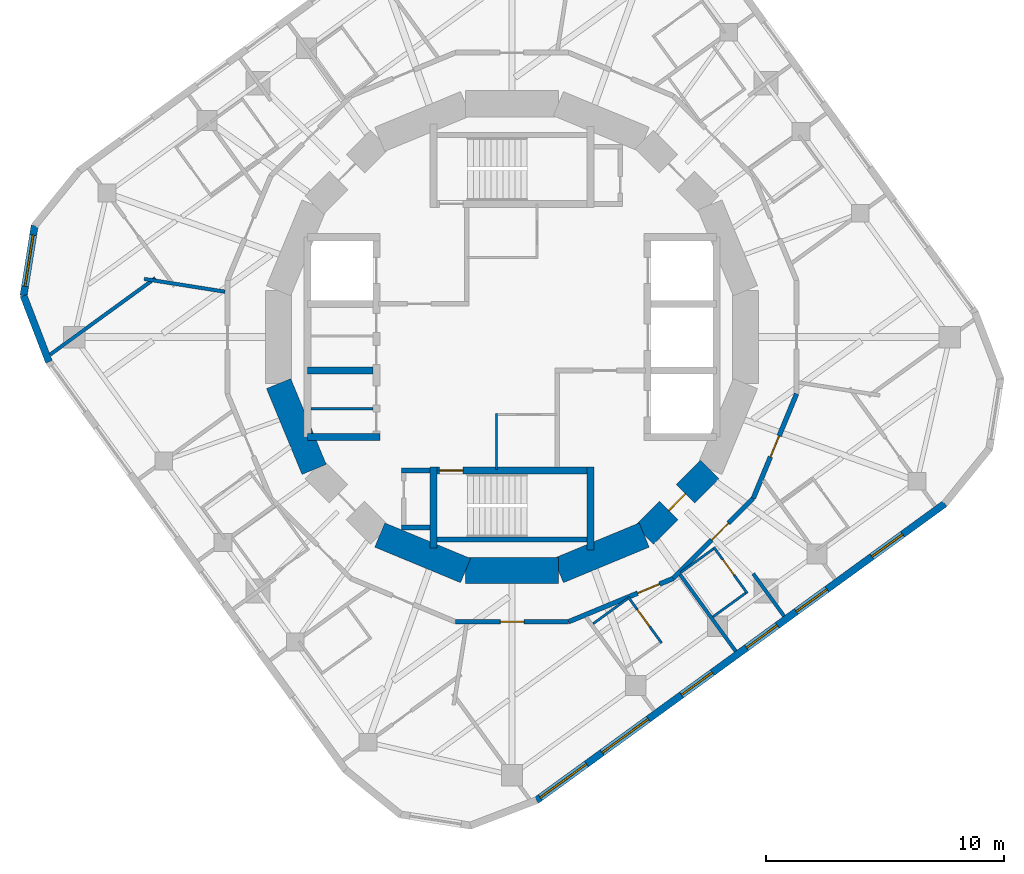
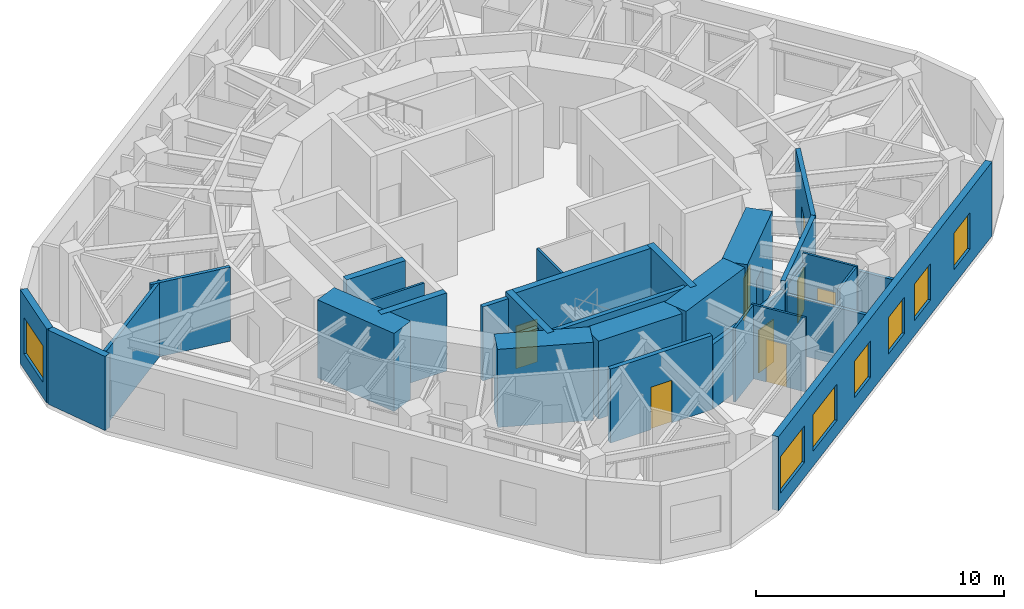
# One storey, part 4 of 9: 31 walls, 8 doors, 7 windows, 15 openings.
"""IFC4 building model written with IfcOpenShell, lengths in metres."""

from ifc_helpers import new_model, si_unit, direction, frame, frame_2d, origin, place, context, subcontext, project, spatial, rectangle, extrude, material, layer, layer_set, type_object, element, fill, save


model = new_model("IFC4")

# Units and contexts
model_context = context("Model", 3, precision=1e-05, world=origin(), true_north=direction((0.0, 1.0)))
body_context = subcontext(model_context, "Body", "Model", "MODEL_VIEW")
ifc_project = project(units=[si_unit("LENGTHUNIT", "METRE"), si_unit("AREAUNIT", "SQUARE_METRE"), si_unit("VOLUMEUNIT", "CUBIC_METRE"), si_unit("PLANEANGLEUNIT", "RADIAN"), si_unit("MASSUNIT", "GRAM", prefix="KILO")], contexts=[model_context])

# Site, building, storey
site_placement = place(None, origin())
site = spatial("IfcSite", under=ifc_project, at=site_placement, CompositionType="ELEMENT")
building_placement = place(site_placement, origin())
building = spatial("IfcBuilding", under=site, at=building_placement, Name="Nakasero Lantern House", CompositionType="ELEMENT")
storey_placement = place(building_placement, frame((0.0, 0.0, 271.449951171875)))
storey = spatial("IfcBuildingStorey", under=building, at=storey_placement, Name="L66", CompositionType="ELEMENT", Elevation=271.449951171875)

# Walls
ifc_material_1 = material(Name="Concrete C50/60", Category="concrete")
ifc_layer_1 = layer(ifc_material_1, 0.300048828125)
ifc_layer_set_1 = layer_set([ifc_layer_1], Name="Core inner wall 300")
wall_type_1 = type_object("IfcWallType", Name="Core inner wall 300", PredefinedType="SHEAR", material=ifc_layer_set_1)
wall_1_placement = place(storey_placement, frame((-8.60009765625, -4.199951171875, 0.0), z_axis=(0.0, 0.0, 1.0), x_axis=(1.0, 0.0, 0.0)))
element("IfcWall", 1, at=wall_1_placement, inside=storey, type_object=wall_type_1, Name="Core inner wall L66 LWS", PredefinedType="SHEAR", context=body_context, shape_type="SweptSolid", body=[
    extrude(rectangle(XDim=3.050048828125, YDim=0.300048828125, at=frame_2d((1.52490234375, 0.0))), origin(), (0.0, 0.0, 1.0), 3.85009765625),
])
wall_2_placement = place(storey_placement, frame((-8.60009765625, -1.39990234375, 0.0), z_axis=(0.0, 0.0, 1.0), x_axis=(1.0, 0.0, 0.0)))
element("IfcWall", 2, at=wall_2_placement, inside=storey, type_object=wall_type_1, Name="Core inner wall L66 LW1", PredefinedType="SHEAR", context=body_context, shape_type="SweptSolid", body=[
    extrude(rectangle(XDim=2.75, YDim=0.300048828125, at=frame_2d((1.375, 0.0))), origin(), (0.0, 0.0, 1.0), 3.85009765625),
])

# Wall, opening, door
wall_3_placement = place(storey_placement, frame((-3.449951171875, -5.60009765625, 0.0), z_axis=(0.0, 0.0, 1.0), x_axis=(1.0, 0.0, 0.0)))
wall_3 = element("IfcWall", 3, at=wall_3_placement, inside=storey, type_object=wall_type_1, Name="Core inner wall L66 SS", PredefinedType="SHEAR", context=body_context, shape_type="SweptSolid", body=[
    extrude(rectangle(XDim=6.89990234375, YDim=0.300048828125, at=frame_2d((3.449951171875, 0.0))), origin(), (0.0, 0.0, 1.0), 3.85009765625),
])
opening_1_placement = place(wall_3_placement, frame((0.39990234375, 0.0, 0.0)))
opening_1 = element("IfcOpeningElement", 4, at=opening_1_placement, cuts=wall_3, Name="Opening D05", PredefinedType="OPENING", context=body_context, shape_type="SweptSolid", body=[
    extrude(rectangle(XDim=1.0, YDim=2.10009765625, at=frame_2d((0.5, 1.050048828125))), frame((0.0, 0.169921875, 0.0), z_axis=(0.0, -1.0, 0.0), x_axis=(1.0, 0.0, 0.0)), (0.0, 0.0, 1.0), 0.340087890625),
])
ifc_material_2 = material(Name="Timber C24", Category="wood")
door_type_1 = type_object("IfcDoorType", Name="Core door FD60S 1000", OperationType="SINGLE_SWING_LEFT", PredefinedType="DOOR", material=ifc_material_2)
door_1_placement = place(opening_1_placement, origin())
door_1 = element("IfcDoor", 5, at=door_1_placement, inside=storey, type_object=door_type_1, Name="Door L66 D-ST2", OperationType="SINGLE_SWING_LEFT", OverallHeight=2.10009765625, OverallWidth=1.0, PredefinedType="DOOR", context=body_context, shape_type="SweptSolid", body=[
    extrude(rectangle(XDim=1.0, YDim=2.10009765625, at=frame_2d((0.5, 1.050048828125))), frame((0.0, 0.02490234375, 0.0), z_axis=(0.0, -1.0, 0.0), x_axis=(1.0, 0.0, 0.0)), (0.0, 0.0, 1.0), 0.050048828125),
])
fill(opening_1, door_1)

# Walls
wall_4_placement = place(storey_placement, frame((-3.300048828125, -5.449951171875, 0.0), z_axis=(0.0, 0.0, 1.0), x_axis=(0.0, -1.0, 0.0)))
element("IfcWall", 6, at=wall_4_placement, inside=storey, type_object=wall_type_1, Name="Core inner wall L66 SSW", PredefinedType="SHEAR", context=body_context, shape_type="SweptSolid", body=[
    extrude(rectangle(XDim=3.400146484375, YDim=0.300048828125, at=frame_2d((1.7001953125, 0.0))), origin(), (0.0, 0.0, 1.0), 3.85009765625),
])
wall_5_placement = place(storey_placement, frame((3.300048828125, -5.449951171875, 0.0), z_axis=(0.0, 0.0, 1.0), x_axis=(0.0, -1.0, 0.0)))
element("IfcWall", 7, at=wall_5_placement, inside=storey, type_object=wall_type_1, Name="Core inner wall L66 SSE", PredefinedType="SHEAR", context=body_context, shape_type="SweptSolid", body=[
    extrude(rectangle(XDim=3.5, YDim=0.300048828125, at=frame_2d((1.75, 0.0))), origin(), (0.0, 0.0, 1.0), 3.85009765625),
])
ifc_material_3 = material(Name="Blockwork", Category="masonry")
ifc_layer_2 = layer(ifc_material_3, 0.10009765625)
ifc_layer_set_2 = layer_set([ifc_layer_2], Name="Core room wall 100")
wall_type_2 = type_object("IfcWallType", Name="Core room wall 100", PredefinedType="PARTITIONING", material=ifc_layer_set_2)
wall_6_placement = place(storey_placement, frame((-0.64990234375, -5.550048828125, 0.0), z_axis=(0.0, 0.0, 1.0), x_axis=(0.0, 1.0, 0.0)))
element("IfcWall", 8, at=wall_6_placement, inside=storey, type_object=wall_type_2, Name="Core room wall L66 CR-SWW", PredefinedType="PARTITIONING", context=body_context, shape_type="SweptSolid", body=[
    extrude(rectangle(XDim=2.35009765625, YDim=0.10009765625, at=frame_2d((1.175048828125, 0.0))), origin(), (0.0, 0.0, 1.0), 3.650146484375),
])
wall_7_placement = place(storey_placement, frame((-8.449951171875, -3.0, 0.0), z_axis=(0.0, 0.0, 1.0), x_axis=(1.0, 0.0, 0.0)))
element("IfcWall", 9, at=wall_7_placement, inside=storey, type_object=wall_type_2, Name="Core room wall L66 CR-SH-LW1b", PredefinedType="PARTITIONING", context=body_context, shape_type="SweptSolid", body=[
    extrude(rectangle(XDim=2.599853515625, YDim=0.10009765625, at=frame_2d((1.2998046875, 0.0))), origin(), (0.0, 0.0, 1.0), 3.650146484375),
])
ifc_material_4 = material(Name="Concrete C50/60", Category="concrete")
ifc_layer_3 = layer(ifc_material_4, 1.10009765625)
ifc_layer_set_3 = layer_set([ifc_layer_3], Name="Core wall 1100")
wall_type_3 = type_object("IfcWallType", Name="Core wall 1100", PredefinedType="SHEAR", material=ifc_layer_set_3)
for number, where, z_axis, x_axis, name in (
    (10, (-9.807861328125, -1.950927734375, 0.0), (0.0, 0.0, 1.0), (0.382690736062, -0.923876507187, 0.0), "Core wall L66 facet 9"),
    (11, (-5.5556640625, -8.314697265625, 0.0), (0.0, 0.0, 1.0), (0.923876507187, -0.382690736062, 0.0), "Core wall L66 facet 11"),
    (12, (-1.950927734375, -9.807861328125, 0.0), (0.0, 0.0, 1.0), (1.0, 0.0, 0.0), "Core wall L66 facet 12"),
    (13, (1.950927734375, -9.807861328125, 0.0), (0.0, 0.0, 1.0), (0.923876507187, 0.382690736062, 0.0), "Core wall L66 facet 13"),
):
    element("IfcWall", number, at=place(storey_placement, frame(where, z_axis=z_axis, x_axis=x_axis)), inside=storey, type_object=wall_type_3, Name=name, PredefinedType="SHEAR", context=body_context, shape_type="SweptSolid", body=[
        extrude(rectangle(XDim=3.90185546875, YDim=1.10009765625, at=frame_2d((1.950927734375, 0.0))), origin(), (0.0, 0.0, 1.0), 3.85009765625),
    ])

# Wall, opening, door
wall_8_placement = place(storey_placement, frame((5.5556640625, -8.314697265625, 0.0), z_axis=(0.0, 0.0, 1.0), x_axis=(0.707106781187, 0.707106781187, 0.0)))
wall_8 = element("IfcWall", 14, at=wall_8_placement, inside=storey, type_object=wall_type_3, Name="Core wall L66 facet 14", PredefinedType="SHEAR", context=body_context, shape_type="SweptSolid", body=[
    extrude(rectangle(XDim=3.90185546875, YDim=1.10009765625, at=frame_2d((1.950927734375, 0.0))), origin(), (0.0, 0.0, 1.0), 3.85009765625),
])
opening_2_placement = place(wall_8_placement, frame((1.450927734375, 0.0, 0.0)))
opening_2 = element("IfcOpeningElement", 15, at=opening_2_placement, cuts=wall_8, Name="Opening D05", PredefinedType="OPENING", context=body_context, shape_type="SweptSolid", body=[
    extrude(rectangle(XDim=1.0, YDim=2.10009765625, at=frame_2d((0.5, 1.050048828125))), frame((0.0, 0.570068359375, 0.0), z_axis=(0.0, -1.0, 0.0), x_axis=(1.0, 0.0, 0.0)), (0.0, 0.0, 1.0), 1.14013671875),
])
door_2_placement = place(opening_2_placement, origin())
door_2 = element("IfcDoor", 16, at=door_2_placement, inside=storey, type_object=door_type_1, Name="Door L66 D-CORE14", OperationType="SINGLE_SWING_LEFT", OverallHeight=2.10009765625, OverallWidth=1.0, PredefinedType="DOOR", context=body_context, shape_type="SweptSolid", body=[
    extrude(rectangle(XDim=1.0, YDim=2.10009765625, at=frame_2d((0.5, 1.050048828125))), frame((0.0, 0.02490234375, 0.0), z_axis=(0.0, -1.0, 0.0), x_axis=(1.0, 0.0, 0.0)), (0.0, 0.0, 1.0), 0.050048828125),
])
fill(opening_2, door_2)

ifc_material_5 = material(Name="Blockwork", Category="masonry")
ifc_layer_4 = layer(ifc_material_5, 0.199951171875)
ifc_layer_set_4 = layer_set([ifc_layer_4], Name="Corridor wall 200")
wall_type_4 = type_object("IfcWallType", Name="Corridor wall 200", PredefinedType="PARTITIONING", material=ifc_layer_set_4)
wall_9_placement = place(storey_placement, frame((11.957763671875, -2.378662109375, 0.0), z_axis=(0.0, 0.0, 1.0), x_axis=(-0.382653970627, -0.923891735412, 0.0)))
wall_9 = element("IfcWall", 17, at=wall_9_placement, inside=storey, type_object=wall_type_4, Name="Corridor wall L66 RC01a", PredefinedType="PARTITIONING", context=body_context, shape_type="SweptSolid", body=[
    extrude(rectangle(XDim=4.757080078125, YDim=0.199951171875, at=frame_2d((2.37841796875, 0.0))), origin(), (0.0, 0.0, 1.0), 3.650146484375),
])
opening_3_placement = place(wall_9_placement, frame((1.919921875, 0.0, 0.0)))
opening_3 = element("IfcOpeningElement", 18, at=opening_3_placement, cuts=wall_9, Name="Opening D01", PredefinedType="OPENING", context=body_context, shape_type="SweptSolid", body=[
    extrude(rectangle(XDim=0.949951171875, YDim=2.10009765625, at=frame_2d((0.47509765625, 1.050048828125))), frame((0.0, 0.119873046875, 0.0), z_axis=(0.0, -1.0, 0.0), x_axis=(1.0, 0.0, 0.0)), (0.0, 0.0, 1.0), 0.239990234375),
])
ifc_material_6 = material(Name="Timber C24", Category="wood")
door_type_2 = type_object("IfcDoorType", Name="Bedroom door FD30S 950", OperationType="SINGLE_SWING_LEFT", PredefinedType="DOOR", material=ifc_material_6)
door_3_placement = place(opening_3_placement, origin())
door_3 = element("IfcDoor", 19, at=door_3_placement, inside=storey, type_object=door_type_2, Name="Door L66 D3-06", OperationType="SINGLE_SWING_RIGHT", OverallHeight=2.10009765625, OverallWidth=0.949951171875, PredefinedType="DOOR", context=body_context, shape_type="SweptSolid", body=[
    extrude(rectangle(XDim=0.949951171875, YDim=2.10009765625, at=frame_2d((0.47509765625, 1.050048828125))), frame((0.0, 0.02490234375, 0.0), z_axis=(0.0, -1.0, 0.0), x_axis=(1.0, 0.0, 0.0)), (0.0, 0.0, 1.0), 0.050048828125),
])
fill(opening_3, door_3)

wall_10_placement = place(storey_placement, frame((10.137451171875, -6.773681640625, 0.0), z_axis=(0.0, 0.0, 1.0), x_axis=(-0.707106781187, -0.707106781187, 0.0)))
wall_10 = element("IfcWall", 20, at=wall_10_placement, inside=storey, type_object=wall_type_4, Name="Corridor wall L66 RC02a", PredefinedType="PARTITIONING", context=body_context, shape_type="SweptSolid", body=[
    extrude(rectangle(XDim=4.757080078125, YDim=0.199951171875, at=frame_2d((2.37841796875, 0.0))), origin(), (0.0, 0.0, 1.0), 3.650146484375),
])
opening_4_placement = place(wall_10_placement, frame((1.469970703125, 0.0, 0.0)))
opening_4 = element("IfcOpeningElement", 21, at=opening_4_placement, cuts=wall_10, Name="Opening D07", PredefinedType="OPENING", context=body_context, shape_type="SweptSolid", body=[
    extrude(rectangle(XDim=1.0, YDim=2.10009765625, at=frame_2d((0.5, 1.050048828125))), frame((0.0, 0.119873046875, 0.0), z_axis=(0.0, -1.0, 0.0), x_axis=(1.0, 0.0, 0.0)), (0.0, 0.0, 1.0), 0.239990234375),
])
ifc_material_7 = material(Name="Timber C24", Category="wood")
door_type_3 = type_object("IfcDoorType", Name="Room door FD30S 1000", OperationType="SINGLE_SWING_LEFT", PredefinedType="DOOR", material=ifc_material_7)
door_4_placement = place(opening_4_placement, origin())
door_4 = element("IfcDoor", 22, at=door_4_placement, inside=storey, type_object=door_type_3, Name="Door L66 D3-04", OperationType="SINGLE_SWING_LEFT", OverallHeight=2.10009765625, OverallWidth=1.0, PredefinedType="DOOR", context=body_context, shape_type="SweptSolid", body=[
    extrude(rectangle(XDim=1.0, YDim=2.10009765625, at=frame_2d((0.5, 1.050048828125))), frame((0.0, 0.02490234375, 0.0), z_axis=(0.0, -1.0, 0.0), x_axis=(1.0, 0.0, 0.0)), (0.0, 0.0, 1.0), 0.050048828125),
])
fill(opening_4, door_4)

wall_11_placement = place(storey_placement, frame((6.773681640625, -10.137451171875, 0.0), z_axis=(0.0, 0.0, 1.0), x_axis=(-0.923891735412, -0.382653970627, 0.0)))
wall_11 = element("IfcWall", 23, at=wall_11_placement, inside=storey, type_object=wall_type_4, Name="Corridor wall L66 RC03a", PredefinedType="PARTITIONING", context=body_context, shape_type="SweptSolid", body=[
    extrude(rectangle(XDim=4.757080078125, YDim=0.199951171875, at=frame_2d((2.37841796875, 0.0))), origin(), (0.0, 0.0, 1.0), 3.18994140625),
])
opening_5_placement = place(wall_11_placement, frame((0.6201171875, 0.0, 0.0)))
opening_5 = element("IfcOpeningElement", 24, at=opening_5_placement, cuts=wall_11, Name="Opening D07", PredefinedType="OPENING", context=body_context, shape_type="SweptSolid", body=[
    extrude(rectangle(XDim=1.0, YDim=2.10009765625, at=frame_2d((0.5, 1.050048828125))), frame((0.0, 0.119873046875, 0.0), z_axis=(0.0, -1.0, 0.0), x_axis=(1.0, 0.0, 0.0)), (0.0, 0.0, 1.0), 0.239990234375),
])
door_5_placement = place(opening_5_placement, origin())
door_5 = element("IfcDoor", 25, at=door_5_placement, inside=storey, type_object=door_type_3, Name="Door L66 D3-03", OperationType="SINGLE_SWING_LEFT", OverallHeight=2.10009765625, OverallWidth=1.0, PredefinedType="DOOR", context=body_context, shape_type="SweptSolid", body=[
    extrude(rectangle(XDim=1.0, YDim=2.10009765625, at=frame_2d((0.5, 1.050048828125))), frame((0.0, 0.02490234375, 0.0), z_axis=(0.0, -1.0, 0.0), x_axis=(1.0, 0.0, 0.0)), (0.0, 0.0, 1.0), 0.050048828125),
])
fill(opening_5, door_5)

wall_12_placement = place(storey_placement, frame((2.378662109375, -11.957763671875, 0.0), z_axis=(0.0, 0.0, 1.0), x_axis=(-1.0, 0.0, 0.0)))
wall_12 = element("IfcWall", 26, at=wall_12_placement, inside=storey, type_object=wall_type_4, Name="Corridor wall L66 RC04a", PredefinedType="PARTITIONING", context=body_context, shape_type="SweptSolid", body=[
    extrude(rectangle(XDim=4.75732421875, YDim=0.199951171875, at=frame_2d((2.378662109375, 0.0))), origin(), (0.0, 0.0, 1.0), 3.650146484375),
])
opening_6_placement = place(wall_12_placement, frame((1.8701171875, 0.0, 0.0)))
opening_6 = element("IfcOpeningElement", 27, at=opening_6_placement, cuts=wall_12, Name="Opening D03", PredefinedType="OPENING", context=body_context, shape_type="SweptSolid", body=[
    extrude(rectangle(XDim=1.0, YDim=2.10009765625, at=frame_2d((0.5, 1.050048828125))), frame((0.0, 0.119873046875, 0.0), z_axis=(0.0, -1.0, 0.0), x_axis=(1.0, 0.0, 0.0)), (0.0, 0.0, 1.0), 0.239990234375),
])
ifc_material_8 = material(Name="Timber C24", Category="wood")
door_type_4 = type_object("IfcDoorType", Name="Lounge door FD30S 1000", OperationType="SINGLE_SWING_LEFT", PredefinedType="DOOR", material=ifc_material_8)
door_6_placement = place(opening_6_placement, origin())
door_6 = element("IfcDoor", 28, at=door_6_placement, inside=storey, type_object=door_type_4, Name="Door L66 DK3", OperationType="SINGLE_SWING_LEFT", OverallHeight=2.10009765625, OverallWidth=1.0, PredefinedType="DOOR", context=body_context, shape_type="SweptSolid", body=[
    extrude(rectangle(XDim=1.0, YDim=2.10009765625, at=frame_2d((0.5, 1.050048828125))), frame((0.0, 0.02490234375, 0.0), z_axis=(0.0, -1.0, 0.0), x_axis=(1.0, 0.0, 0.0)), (0.0, 0.0, 1.0), 0.050048828125),
])
fill(opening_6, door_6)

ifc_material_9 = material(Name="Blockwork", Category="masonry")
ifc_layer_5 = layer(ifc_material_9, 0.10009765625)
ifc_layer_set_5 = layer_set([ifc_layer_5], Name="En-suite wall 100")
wall_type_5 = type_object("IfcWallType", Name="En-suite wall 100", PredefinedType="PARTITIONING", material=ifc_layer_set_5)
wall_13_placement = place(storey_placement, frame((4.878173828125, -10.912841796875, 0.0), z_axis=(0.0, 0.0, 1.0), x_axis=(0.587772420479, -0.809026317077, 0.0)))
wall_13 = element("IfcWall", 29, at=wall_13_placement, inside=storey, type_object=wall_type_5, Name="En-suite wall L66 ES3-03", PredefinedType="PARTITIONING", context=body_context, shape_type="SweptSolid", body=[
    extrude(rectangle(XDim=2.39990234375, YDim=0.10009765625, at=frame_2d((1.199951171875, 0.0))), origin(), (0.0, 0.0, 1.0), 3.650146484375),
])
opening_7_placement = place(wall_13_placement, frame((0.64990234375, 0.0, 0.0)))
opening_7 = element("IfcOpeningElement", 30, at=opening_7_placement, cuts=wall_13, Name="Opening D16", PredefinedType="OPENING", context=body_context, shape_type="SweptSolid", body=[
    extrude(rectangle(XDim=0.89990234375, YDim=2.10009765625, at=frame_2d((0.449951171875, 1.050048828125))), frame((0.0, 0.070068359375, 0.0), z_axis=(0.0, -1.0, 0.0), x_axis=(1.0, 0.0, 0.0)), (0.0, 0.0, 1.0), 0.14013671875),
])
ifc_material_10 = material(Name="Timber C24", Category="wood")
door_type_5 = type_object("IfcDoorType", Name="Accessible WC door 900", OperationType="SINGLE_SWING_RIGHT", PredefinedType="DOOR", material=ifc_material_10)
door_7_placement = place(opening_7_placement, origin())
door_7 = element("IfcDoor", 31, at=door_7_placement, inside=storey, type_object=door_type_5, Name="Door L66 DE3-03", OperationType="SINGLE_SWING_LEFT", OverallHeight=2.10009765625, OverallWidth=0.89990234375, PredefinedType="DOOR", context=body_context, shape_type="SweptSolid", body=[
    extrude(rectangle(XDim=0.89990234375, YDim=2.10009765625, at=frame_2d((0.449951171875, 1.050048828125))), frame((0.0, 0.02490234375, 0.0), z_axis=(0.0, -1.0, 0.0), x_axis=(1.0, 0.0, 0.0)), (0.0, 0.0, 1.0), 0.050048828125),
])
fill(opening_7, door_7)

# Wall
wall_14_placement = place(storey_placement, frame((3.410888671875, -12.040771484375, 0.0), z_axis=(0.0, 0.0, 1.0), x_axis=(0.809005783898, 0.58780068188, 0.0)))
element("IfcWall", 32, at=wall_14_placement, inside=storey, type_object=wall_type_5, Name="En-suite wall L66 EI3-03", PredefinedType="PARTITIONING", context=body_context, shape_type="SweptSolid", body=[
    extrude(rectangle(XDim=1.800048828125, YDim=0.10009765625, at=frame_2d((0.89990234375, 0.0))), origin(), (0.0, 0.0, 1.0), 3.650146484375),
])

# Wall, opening, door
wall_15_placement = place(storey_placement, frame((8.47802734375, -8.822021484375, 0.0), z_axis=(0.0, 0.0, 1.0), x_axis=(0.587772420479, -0.809026317077, 0.0)))
wall_15 = element("IfcWall", 33, at=wall_15_placement, inside=storey, type_object=wall_type_5, Name="En-suite wall L66 ES3-04", PredefinedType="PARTITIONING", context=body_context, shape_type="SweptSolid", body=[
    extrude(rectangle(XDim=2.39990234375, YDim=0.10009765625, at=frame_2d((1.199951171875, 0.0))), origin(), (0.0, 0.0, 1.0), 3.650146484375),
])
opening_8_placement = place(wall_15_placement, frame((0.64990234375, 0.0, 0.0)))
opening_8 = element("IfcOpeningElement", 34, at=opening_8_placement, cuts=wall_15, Name="Opening D15", PredefinedType="OPENING", context=body_context, shape_type="SweptSolid", body=[
    extrude(rectangle(XDim=0.800048828125, YDim=2.10009765625, at=frame_2d((0.39990234375, 1.050048828125))), frame((0.0, 0.070068359375, 0.0), z_axis=(0.0, -1.0, 0.0), x_axis=(1.0, 0.0, 0.0)), (0.0, 0.0, 1.0), 0.14013671875),
])
ifc_material_11 = material(Name="Timber C24", Category="wood")
door_type_6 = type_object("IfcDoorType", Name="Cleaner's store door FD30S 800", OperationType="SINGLE_SWING_LEFT", PredefinedType="DOOR", material=ifc_material_11)
door_8_placement = place(opening_8_placement, origin())
door_8 = element("IfcDoor", 35, at=door_8_placement, inside=storey, type_object=door_type_6, Name="Door L66 DE3-04", OperationType="SINGLE_SWING_LEFT", OverallHeight=2.10009765625, OverallWidth=0.800048828125, PredefinedType="DOOR", context=body_context, shape_type="SweptSolid", body=[
    extrude(rectangle(XDim=0.800048828125, YDim=2.10009765625, at=frame_2d((0.39990234375, 1.050048828125))), frame((0.0, 0.02490234375, 0.0), z_axis=(0.0, -1.0, 0.0), x_axis=(1.0, 0.0, 0.0)), (0.0, 0.0, 1.0), 0.050048828125),
])
fill(opening_8, door_8)

# Walls
wall_16_placement = place(storey_placement, frame((8.443359375, -11.751708984375, 0.0), z_axis=(0.0, 0.0, 1.0), x_axis=(0.809040252033, 0.58775323954, 0.0)))
element("IfcWall", 36, at=wall_16_placement, inside=storey, type_object=wall_type_5, Name="En-suite wall L66 EE3-04", PredefinedType="PARTITIONING", context=body_context, shape_type="SweptSolid", body=[
    extrude(rectangle(XDim=1.7001953125, YDim=0.10009765625, at=frame_2d((0.85009765625, 0.0))), origin(), (0.0, 0.0, 1.0), 3.650146484375),
])
wall_17_placement = place(storey_placement, frame((7.091552734375, -9.89111328125, 0.0), z_axis=(0.0, 0.0, 1.0), x_axis=(0.808990636343, 0.587821529301, 0.0)))
element("IfcWall", 37, at=wall_17_placement, inside=storey, type_object=wall_type_5, Name="En-suite wall L66 EI3-04", PredefinedType="PARTITIONING", context=body_context, shape_type="SweptSolid", body=[
    extrude(rectangle(XDim=1.699951171875, YDim=0.10009765625, at=frame_2d((0.85009765625, 0.0))), origin(), (0.0, 0.0, 1.0), 3.18994140625),
])

# Wall, opening, window
ifc_material_12 = material(Name="Aluminium rainscreen on blockwork", Category="masonry")
ifc_layer_6 = layer(ifc_material_12, 0.300048828125)
ifc_layer_set_6 = layer_set([ifc_layer_6], Name="Facade wall 300")
wall_type_6 = type_object("IfcWallType", Name="Facade wall 300", PredefinedType="SOLIDWALL", material=ifc_layer_set_6)
wall_18_placement = place(storey_placement, frame((-20.05908203125, 4.683837890625, 0.0), z_axis=(0.0, 0.0, 1.0), x_axis=(-0.156413227021, -0.987691704133, 0.0)))
wall_18 = element("IfcWall", 38, at=wall_18_placement, inside=storey, type_object=wall_type_6, Name="Facade wall L66 FW1C2", PredefinedType="SOLIDWALL", context=body_context, shape_type="SweptSolid", body=[
    extrude(rectangle(XDim=2.9765625, YDim=0.300048828125, at=frame_2d((1.48828125, 0.0))), origin(), (0.0, 0.0, 1.0), 3.650146484375),
])
opening_9_placement = place(wall_18_placement, frame((0.39990234375, 0.0, 0.75)))
opening_9 = element("IfcOpeningElement", 39, at=opening_9_placement, cuts=wall_18, Name="Opening W221", PredefinedType="OPENING", context=body_context, shape_type="SweptSolid", body=[
    extrude(rectangle(XDim=2.176025390625, YDim=1.800048828125, at=frame_2d((1.087890625, 0.89990234375))), frame((0.0, 0.169921875, 0.0), z_axis=(0.0, -1.0, 0.0), x_axis=(1.0, 0.0, 0.0)), (0.0, 0.0, 1.0), 0.340087890625),
])
ifc_material_13 = material(Name="Aluminium 6063-T6 and glass", Category="aluminium")
window_type_1 = type_object("IfcWindowType", Name="Corner window 2176x1800", PartitioningType="SINGLE_PANEL", PredefinedType="WINDOW", material=ifc_material_13)
window_1_placement = place(opening_9_placement, origin())
window_1 = element("IfcWindow", 40, at=window_1_placement, inside=storey, type_object=window_type_1, Name="Window L66 WC1", OverallHeight=1.800048828125, OverallWidth=2.176025390625, PartitioningType="SINGLE_PANEL", PredefinedType="WINDOW", context=body_context, shape_type="SweptSolid", body=[
    extrude(rectangle(XDim=2.176025390625, YDim=1.800048828125, at=frame_2d((1.087890625, 0.89990234375))), frame((0.0, 0.030029296875, 0.0), z_axis=(0.0, -1.0, 0.0), x_axis=(1.0, 0.0, 0.0)), (0.0, 0.0, 1.0), 0.06005859375),
])
fill(opening_9, window_1)

# Wall
wall_19_placement = place(storey_placement, frame((-20.524658203125, 1.743896484375, 0.0), z_axis=(0.0, 0.0, 1.0), x_axis=(0.35838535244, -0.933573745966, 0.0)))
element("IfcWall", 41, at=wall_19_placement, inside=storey, type_object=wall_type_6, Name="Facade wall L66 FW1C3", PredefinedType="SOLIDWALL", context=body_context, shape_type="SweptSolid", body=[
    extrude(rectangle(XDim=2.976318359375, YDim=0.300048828125, at=frame_2d((1.48828125, 0.0))), origin(), (0.0, 0.0, 1.0), 3.650146484375),
])

# Wall, openings, windows
wall_20_placement = place(storey_placement, frame((1.03466796875, -19.4580078125, 0.0), z_axis=(0.0, 0.0, 1.0), x_axis=(0.809013375328, 0.587790233451, 0.0)))
wall_20 = element("IfcWall", 42, at=wall_20_placement, inside=storey, type_object=wall_type_6, Name="Facade wall L66 FW3S", PredefinedType="SOLIDWALL", context=body_context, shape_type="SweptSolid", body=[
    extrude(rectangle(XDim=21.199951171875, YDim=0.300048828125, at=frame_2d((10.60009765625, 0.0))), origin(), (0.0, 0.0, 1.0), 3.650146484375),
])
opening_10_placement = place(wall_20_placement, frame((7.52783203125, 0.0, 0.75)))
opening_10 = element("IfcOpeningElement", 43, at=opening_10_placement, cuts=wall_20, Name="Opening W01", PredefinedType="OPENING", context=body_context, shape_type="SweptSolid", body=[
    extrude(rectangle(XDim=1.60009765625, YDim=1.800048828125, at=frame_2d((0.800048828125, 0.89990234375))), frame((0.0, 0.169921875, 0.0), z_axis=(0.0, -1.0, 0.0), x_axis=(1.0, 0.0, 0.0)), (0.0, 0.0, 1.0), 0.340087890625),
])
opening_11_placement = place(wall_20_placement, frame((10.904052734375, 0.0, 0.75)))
opening_11 = element("IfcOpeningElement", 44, at=opening_11_placement, cuts=wall_20, Name="Opening W01", PredefinedType="OPENING", context=body_context, shape_type="SweptSolid", body=[
    extrude(rectangle(XDim=1.60009765625, YDim=1.800048828125, at=frame_2d((0.800048828125, 0.89990234375))), frame((0.0, 0.169921875, 0.0), z_axis=(0.0, -1.0, 0.0), x_axis=(1.0, 0.0, 0.0)), (0.0, 0.0, 1.0), 0.340087890625),
])
opening_12_placement = place(wall_20_placement, frame((13.484619140625, 0.0, 0.75)))
opening_12 = element("IfcOpeningElement", 45, at=opening_12_placement, cuts=wall_20, Name="Opening W01", PredefinedType="OPENING", context=body_context, shape_type="SweptSolid", body=[
    extrude(rectangle(XDim=1.60009765625, YDim=1.800048828125, at=frame_2d((0.800048828125, 0.89990234375))), frame((0.0, 0.169921875, 0.0), z_axis=(0.0, -1.0, 0.0), x_axis=(1.0, 0.0, 0.0)), (0.0, 0.0, 1.0), 0.340087890625),
])
opening_13_placement = place(wall_20_placement, frame((17.410888671875, 0.0, 0.75)))
opening_13 = element("IfcOpeningElement", 46, at=opening_13_placement, cuts=wall_20, Name="Opening W01", PredefinedType="OPENING", context=body_context, shape_type="SweptSolid", body=[
    extrude(rectangle(XDim=1.60009765625, YDim=1.800048828125, at=frame_2d((0.800048828125, 0.89990234375))), frame((0.0, 0.169921875, 0.0), z_axis=(0.0, -1.0, 0.0), x_axis=(1.0, 0.0, 0.0)), (0.0, 0.0, 1.0), 0.340087890625),
])
opening_14_placement = place(wall_20_placement, frame((0.1904296875, 0.0, 0.75)))
opening_14 = element("IfcOpeningElement", 47, at=opening_14_placement, cuts=wall_20, Name="Opening W03", PredefinedType="OPENING", context=body_context, shape_type="SweptSolid", body=[
    extrude(rectangle(XDim=2.39990234375, YDim=1.800048828125, at=frame_2d((1.199951171875, 0.89990234375))), frame((0.0, 0.169921875, 0.0), z_axis=(0.0, -1.0, 0.0), x_axis=(1.0, 0.0, 0.0)), (0.0, 0.0, 1.0), 0.340087890625),
])
opening_15_placement = place(wall_20_placement, frame((3.401611328125, 0.0, 0.75)))
opening_15 = element("IfcOpeningElement", 48, at=opening_15_placement, cuts=wall_20, Name="Opening W03", PredefinedType="OPENING", context=body_context, shape_type="SweptSolid", body=[
    extrude(rectangle(XDim=2.39990234375, YDim=1.800048828125, at=frame_2d((1.199951171875, 0.89990234375))), frame((0.0, 0.169921875, 0.0), z_axis=(0.0, -1.0, 0.0), x_axis=(1.0, 0.0, 0.0)), (0.0, 0.0, 1.0), 0.340087890625),
])
ifc_material_14 = material(Name="Aluminium 6063-T6 and glass", Category="aluminium")
window_type_2 = type_object("IfcWindowType", Name="Bedroom window 1600x1800", PartitioningType="SINGLE_PANEL", PredefinedType="WINDOW", material=ifc_material_14)
window_2_placement = place(opening_10_placement, origin())
window_2 = element("IfcWindow", 49, at=window_2_placement, inside=storey, type_object=window_type_2, Name="Window L66 WN3-03", OverallHeight=1.800048828125, OverallWidth=1.60009765625, PartitioningType="SINGLE_PANEL", PredefinedType="WINDOW", context=body_context, shape_type="SweptSolid", body=[
    extrude(rectangle(XDim=1.60009765625, YDim=1.800048828125, at=frame_2d((0.800048828125, 0.89990234375))), frame((0.0, 0.030029296875, 0.0), z_axis=(0.0, -1.0, 0.0), x_axis=(1.0, 0.0, 0.0)), (0.0, 0.0, 1.0), 0.06005859375),
])
fill(opening_10, window_2)
window_3_placement = place(opening_11_placement, origin())
window_3 = element("IfcWindow", 50, at=window_3_placement, inside=storey, type_object=window_type_2, Name="Window L66 WN3-04", OverallHeight=1.800048828125, OverallWidth=1.60009765625, PartitioningType="SINGLE_PANEL", PredefinedType="WINDOW", context=body_context, shape_type="SweptSolid", body=[
    extrude(rectangle(XDim=1.60009765625, YDim=1.800048828125, at=frame_2d((0.800048828125, 0.89990234375))), frame((0.0, 0.030029296875, 0.0), z_axis=(0.0, -1.0, 0.0), x_axis=(1.0, 0.0, 0.0)), (0.0, 0.0, 1.0), 0.06005859375),
])
fill(opening_11, window_3)
window_4_placement = place(opening_12_placement, origin())
window_4 = element("IfcWindow", 51, at=window_4_placement, inside=storey, type_object=window_type_2, Name="Window L66 WN3-05", OverallHeight=1.800048828125, OverallWidth=1.60009765625, PartitioningType="SINGLE_PANEL", PredefinedType="WINDOW", context=body_context, shape_type="SweptSolid", body=[
    extrude(rectangle(XDim=1.60009765625, YDim=1.800048828125, at=frame_2d((0.800048828125, 0.89990234375))), frame((0.0, 0.030029296875, 0.0), z_axis=(0.0, -1.0, 0.0), x_axis=(1.0, 0.0, 0.0)), (0.0, 0.0, 1.0), 0.06005859375),
])
fill(opening_12, window_4)
window_5_placement = place(opening_13_placement, origin())
window_5 = element("IfcWindow", 52, at=window_5_placement, inside=storey, type_object=window_type_2, Name="Window L66 WN3-06", OverallHeight=1.800048828125, OverallWidth=1.60009765625, PartitioningType="SINGLE_PANEL", PredefinedType="WINDOW", context=body_context, shape_type="SweptSolid", body=[
    extrude(rectangle(XDim=1.60009765625, YDim=1.800048828125, at=frame_2d((0.800048828125, 0.89990234375))), frame((0.0, 0.030029296875, 0.0), z_axis=(0.0, -1.0, 0.0), x_axis=(1.0, 0.0, 0.0)), (0.0, 0.0, 1.0), 0.06005859375),
])
fill(opening_13, window_5)
ifc_material_15 = material(Name="Aluminium 6063-T6 and glass", Category="aluminium")
window_type_3 = type_object("IfcWindowType", Name="Lounge window 2400x1800", PartitioningType="SINGLE_PANEL", PredefinedType="WINDOW", material=ifc_material_15)
window_6_placement = place(opening_14_placement, origin())
window_6 = element("IfcWindow", 53, at=window_6_placement, inside=storey, type_object=window_type_3, Name="Window L66 WK3", OverallHeight=1.800048828125, OverallWidth=2.39990234375, PartitioningType="SINGLE_PANEL", PredefinedType="WINDOW", context=body_context, shape_type="SweptSolid", body=[
    extrude(rectangle(XDim=2.39990234375, YDim=1.800048828125, at=frame_2d((1.199951171875, 0.89990234375))), frame((0.0, 0.030029296875, 0.0), z_axis=(0.0, -1.0, 0.0), x_axis=(1.0, 0.0, 0.0)), (0.0, 0.0, 1.0), 0.06005859375),
])
fill(opening_14, window_6)
window_7_placement = place(opening_15_placement, origin())
window_7 = element("IfcWindow", 54, at=window_7_placement, inside=storey, type_object=window_type_3, Name="Window L66 WL3", OverallHeight=1.800048828125, OverallWidth=2.39990234375, PartitioningType="SINGLE_PANEL", PredefinedType="WINDOW", context=body_context, shape_type="SweptSolid", body=[
    extrude(rectangle(XDim=2.39990234375, YDim=1.800048828125, at=frame_2d((1.199951171875, 0.89990234375))), frame((0.0, 0.030029296875, 0.0), z_axis=(0.0, -1.0, 0.0), x_axis=(1.0, 0.0, 0.0)), (0.0, 0.0, 1.0), 0.06005859375),
])
fill(opening_15, window_7)

# Walls
ifc_material_16 = material(Name="Blockwork", Category="masonry")
ifc_layer_7 = layer(ifc_material_16, 0.199951171875)
ifc_layer_set_7 = layer_set([ifc_layer_7], Name="Fire lobby wall 200")
wall_type_7 = type_object("IfcWallType", Name="Fire lobby wall 200", PredefinedType="PARTITIONING", material=ifc_layer_set_7)
for number, where, z_axis, x_axis, name in (
    (55, (-3.449951171875, -8.0, 0.0), (0.0, 0.0, 1.0), (-1.0, 0.0, 0.0), "Fire lobby wall L66 W-RS2S"),
    (56, (-3.449951171875, -5.60009765625, 0.0), (0.0, 0.0, 1.0), (-1.0, 0.0, 0.0), "Fire lobby wall L66 W-RS2N"),
):
    element("IfcWall", number, at=place(storey_placement, frame(where, z_axis=z_axis, x_axis=x_axis)), inside=storey, type_object=wall_type_7, Name=name, PredefinedType="PARTITIONING", context=body_context, shape_type="SweptSolid", body=[
        extrude(rectangle(XDim=1.199951171875, YDim=0.199951171875, at=frame_2d((0.60009765625, 0.0))), origin(), (0.0, 0.0, 1.0), 3.650146484375),
    ])
wall_21_placement = place(storey_placement, frame((-3.300048828125, -8.5, 0.0), z_axis=(0.0, 0.0, 1.0), x_axis=(1.0, 0.0, 0.0)))
element("IfcWall", 57, at=wall_21_placement, inside=storey, type_object=wall_type_7, Name="Fire lobby wall L66 W-STS", PredefinedType="PARTITIONING", context=body_context, shape_type="SweptSolid", body=[
    extrude(rectangle(XDim=6.60009765625, YDim=0.199951171875, at=frame_2d((3.300048828125, 0.0))), origin(), (0.0, 0.0, 1.0), 3.650146484375),
])
ifc_material_17 = material(Name="Blockwork", Category="masonry")
ifc_layer_8 = layer(ifc_material_17, 0.14990234375)
ifc_layer_set_8 = layer_set([ifc_layer_8], Name="Party wall 150")
wall_type_8 = type_object("IfcWallType", Name="Party wall 150", PredefinedType="PARTITIONING", material=ifc_layer_set_8)
wall_22_placement = place(storey_placement, frame((-12.057861328125, 1.90966796875, 0.0), z_axis=(0.0, 0.0, 1.0), x_axis=(-0.987683439553, 0.156465405864, 0.0)))
element("IfcWall", 58, at=wall_22_placement, inside=storey, type_object=wall_type_8, Name="Party wall L66 PD1", PredefinedType="PARTITIONING", context=body_context, shape_type="SweptSolid", body=[
    extrude(rectangle(XDim=3.440673828125, YDim=0.14990234375, at=frame_2d((1.72021484375, 0.0))), origin(), (0.0, 0.0, 1.0), 3.650146484375),
])
wall_23_placement = place(storey_placement, frame((-14.9853515625, 2.48095703125, 0.0), z_axis=(0.0, 0.0, 1.0), x_axis=(-0.809023745549, -0.587775959987, 0.0)))
element("IfcWall", 59, at=wall_23_placement, inside=storey, type_object=wall_type_8, Name="Party wall L66 PW2-01", PredefinedType="PARTITIONING", context=body_context, shape_type="SweptSolid", body=[
    extrude(rectangle(XDim=5.466552734375, YDim=0.14990234375, at=frame_2d((2.7333984375, 0.0))), origin(), (0.0, 0.0, 1.0), 3.650146484375),
])
wall_24_placement = place(storey_placement, frame((10.13818359375, -9.939208984375, 0.0), z_axis=(0.0, 0.0, 1.0), x_axis=(0.587821928992, -0.808990345923, 0.0)))
element("IfcWall", 60, at=wall_24_placement, inside=storey, type_object=wall_type_8, Name="Party wall L66 PN3-05", PredefinedType="PARTITIONING", context=body_context, shape_type="SweptSolid", body=[
    extrude(rectangle(XDim=2.199951171875, YDim=0.14990234375, at=frame_2d((1.10009765625, 0.0))), origin(), (0.0, 0.0, 1.0), 2.95703125),
])
wall_25_placement = place(storey_placement, frame((7.067138671875, -9.985107421875, 0.0), z_axis=(0.0, 0.0, 1.0), x_axis=(0.587802119896, -0.809004739075, 0.0)))
element("IfcWall", 61, at=wall_25_placement, inside=storey, type_object=wall_type_8, Name="Party wall L66 PW3-04", PredefinedType="PARTITIONING", context=body_context, shape_type="SweptSolid", body=[
    extrude(rectangle(XDim=3.9677734375, YDim=0.14990234375, at=frame_2d((1.98388671875, 0.0))), origin(), (0.0, 0.0, 1.0), 2.809326171875),
])

save(model, "model.ifc")
